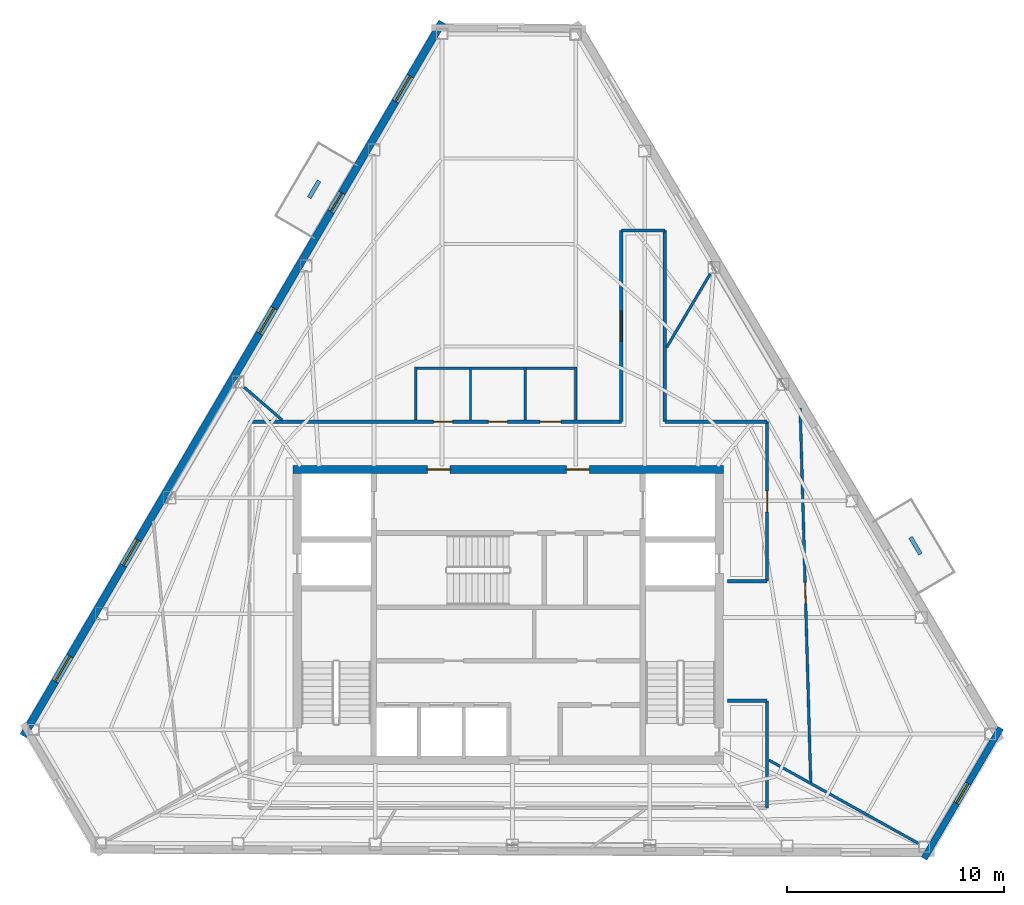
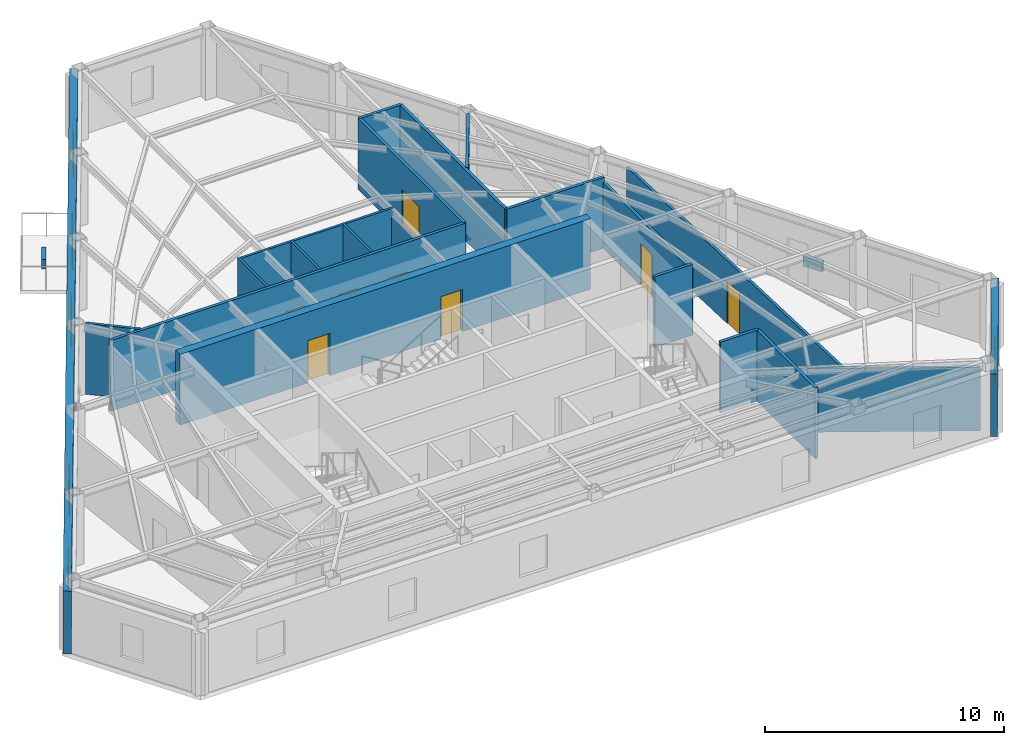
# One storey, part 6 of 9: 23 walls, 9 doors, 5 windows, 14 openings.
"""IFC4 building model written with IfcOpenShell, lengths in metres."""

from ifc_helpers import new_model, si_unit, direction, frame, frame_2d, origin, place, context, subcontext, project, spatial, rectangle, extrude, material, layer, layer_set, type_object, element, fill, save


model = new_model("IFC4")

# Units and contexts
model_context = context("Model", 3, precision=1e-05, world=origin(), true_north=direction((0.0, 1.0)))
body_context = subcontext(model_context, "Body", "Model", "MODEL_VIEW")
ifc_project = project(units=[si_unit("LENGTHUNIT", "METRE"), si_unit("AREAUNIT", "SQUARE_METRE"), si_unit("VOLUMEUNIT", "CUBIC_METRE"), si_unit("PLANEANGLEUNIT", "RADIAN"), si_unit("MASSUNIT", "GRAM", prefix="KILO")], contexts=[model_context])

# Site, building, storey
site_placement = place(None, origin())
site = spatial("IfcSite", under=ifc_project, at=site_placement, CompositionType="ELEMENT")
building_placement = place(site_placement, origin())
building = spatial("IfcBuilding", under=site, at=building_placement, Name="Kavelnor Concourse Tower", CompositionType="ELEMENT")
storey_placement = place(building_placement, frame((0.0, 0.0, 270.300048828125)))
storey = spatial("IfcBuildingStorey", under=building, at=storey_placement, Name="L68", CompositionType="ELEMENT", Elevation=270.300048828125)

# Wall, openings, doors
ifc_material_1 = material(Name="Concrete C50/60", Category="concrete")
ifc_layer_1 = layer(ifc_material_1, 0.3798828125, Name="Concrete C50/60")
ifc_layer_set_1 = layer_set([ifc_layer_1], Name="Concrete C50/60")
wall_type_1 = type_object("IfcWallType", Name="WL-CORE-Z4-380", PredefinedType="SOLIDWALL", material=ifc_layer_set_1)
wall_1_placement = place(storey_placement, frame((28.10009765625, 22.7900390625, 0.0), z_axis=(0.0, 0.0, 1.0), x_axis=(1.0, 0.0, 0.0)))
wall_1 = element("IfcWall", 1, at=wall_1_placement, inside=storey, type_object=wall_type_1, Name="L68 Central Core North Shear Wall", PredefinedType="SOLIDWALL", context=body_context, shape_type="SweptSolid", body=[
    extrude(rectangle(XDim=19.7998046875, YDim=0.3798828125, at=frame_2d((9.89990234375, 0.0))), origin(), (0.0, 0.0, 1.0), 3.60986328125),
])
opening_1_placement = place(wall_1_placement, frame((6.175048828125, 0.0, 0.0)))
opening_1 = element("IfcOpeningElement", 2, at=opening_1_placement, cuts=wall_1, Name="Opening FD-105", PredefinedType="OPENING", context=body_context, shape_type="SweptSolid", body=[
    extrude(rectangle(XDim=1.050048828125, YDim=2.14990234375, at=frame_2d((0.52490234375, 1.074951171875))), frame((0.0, 0.199951171875, 0.0), z_axis=(0.0, -1.0, 0.0), x_axis=(1.0, 0.0, 0.0)), (0.0, 0.0, 1.0), 0.39990234375),
])
opening_2_placement = place(wall_1_placement, frame((12.574951171875, 0.0, 0.0)))
opening_2 = element("IfcOpeningElement", 3, at=opening_2_placement, cuts=wall_1, Name="Opening FD-105", PredefinedType="OPENING", context=body_context, shape_type="SweptSolid", body=[
    extrude(rectangle(XDim=1.050048828125, YDim=2.14990234375, at=frame_2d((0.52490234375, 1.074951171875))), frame((0.0, 0.199951171875, 0.0), z_axis=(0.0, -1.0, 0.0), x_axis=(1.0, 0.0, 0.0)), (0.0, 0.0, 1.0), 0.39990234375),
])
ifc_material_2 = material(Name="Steel Grade 350", Category="steel")
door_type_1 = type_object("IfcDoorType", Name="DR-LOBBY-FIRE-1050", OperationType="NOTDEFINED", PredefinedType="DOOR", material=ifc_material_2)
door_1_placement = place(opening_1_placement, origin())
door_1 = element("IfcDoor", 4, at=door_1_placement, inside=storey, type_object=door_type_1, Name="L68 Emergency Lift Lobby West Door", OperationType="SINGLE_SWING_LEFT", OverallHeight=2.14990234375, OverallWidth=1.050048828125, PredefinedType="DOOR", context=body_context, shape_type="SweptSolid", body=[
    extrude(rectangle(XDim=1.050048828125, YDim=2.14990234375, at=frame_2d((0.52490234375, 1.074951171875))), frame((0.0, 0.02490234375, 0.0), z_axis=(0.0, -1.0, 0.0), x_axis=(1.0, 0.0, 0.0)), (0.0, 0.0, 1.0), 0.050048828125),
])
fill(opening_1, door_1)
door_2_placement = place(opening_2_placement, origin())
door_2 = element("IfcDoor", 5, at=door_2_placement, inside=storey, type_object=door_type_1, Name="L68 Emergency Lift Lobby East Door", OperationType="SINGLE_SWING_RIGHT", OverallHeight=2.14990234375, OverallWidth=1.050048828125, PredefinedType="DOOR", context=body_context, shape_type="SweptSolid", body=[
    extrude(rectangle(XDim=1.050048828125, YDim=2.14990234375, at=frame_2d((0.52490234375, 1.074951171875))), frame((0.0, 0.02490234375, 0.0), z_axis=(0.0, -1.0, 0.0), x_axis=(1.0, 0.0, 0.0)), (0.0, 0.0, 1.0), 0.050048828125),
])
fill(opening_2, door_2)

# Wall, opening, window
ifc_material_3 = material(Name="Buff ironspot clay face brick masonry", Category="masonry")
ifc_layer_2 = layer(ifc_material_3, 0.300048828125, Name="Buff ironspot clay face brick masonry")
ifc_layer_set_2 = layer_set([ifc_layer_2], Name="Buff ironspot clay face brick masonry")
wall_type_2 = type_object("IfcWallType", Name="WL-EXT-BUFF-BRICK-FOLD-300", PredefinedType="STANDARD", material=ifc_layer_set_2)
wall_2_placement = place(storey_placement, frame((60.654296875, 10.89697265625, 0.0), z_axis=(0.0, 0.0, 1.0), x_axis=(-0.506109881411, -0.862469006943, 0.0)))
wall_2 = element("IfcWall", 6, at=wall_2_placement, inside=storey, type_object=wall_type_2, Name="L68 Exterior Brick Facade Wall E4", PredefinedType="STANDARD", context=body_context, shape_type="SweptSolid", body=[
    extrude(rectangle(XDim=6.964599609375, YDim=0.300048828125, at=frame_2d((3.482421875, 0.0))), origin(), (0.0, 0.0, 1.0), 3.196044921875),
])
opening_3_placement = place(wall_2_placement, frame((2.957275390625, 0.0, 0.64990234375)))
opening_3 = element("IfcOpeningElement", 7, at=opening_3_placement, cuts=wall_2, Name="Opening W-06", PredefinedType="OPENING", context=body_context, shape_type="SweptSolid", body=[
    extrude(rectangle(XDim=1.050048828125, YDim=1.699951171875, at=frame_2d((0.52490234375, 0.85009765625))), frame((0.0, 0.16015625, 0.0), z_axis=(0.0, -1.0, 0.0), x_axis=(1.0, 0.0, 0.0)), (0.0, 0.0, 1.0), 0.320068359375),
])
ifc_material_4 = material(Name="Double low-E argon insulated glazing", Category="glass")
window_type_1 = type_object("IfcWindowType", Name="WIN-FOLD-1050", PartitioningType="SINGLE_PANEL", PredefinedType="WINDOW", material=ifc_material_4)
window_1_placement = place(opening_3_placement, origin())
window_1 = element("IfcWindow", 8, at=window_1_placement, inside=storey, type_object=window_type_1, Name="L68 Chamfer-Fold Facet Window C2", OverallHeight=1.699951171875, OverallWidth=1.050048828125, PartitioningType="SINGLE_PANEL", PredefinedType="WINDOW", context=body_context, shape_type="SweptSolid", body=[
    extrude(rectangle(XDim=1.050048828125, YDim=1.699951171875, at=frame_2d((0.52490234375, 0.85009765625))), frame((0.0, 0.030029296875, 0.0), z_axis=(0.0, -1.0, 0.0), x_axis=(1.0, 0.0, 0.0)), (0.0, 0.0, 1.0), 0.06005859375),
])
fill(opening_3, window_1)

# Wall, openings, door, windows
ifc_material_5 = material(Name="Red-ochre clay face brick masonry", Category="masonry")
ifc_layer_3 = layer(ifc_material_5, 0.35009765625, Name="Red-ochre clay face brick masonry")
ifc_layer_set_3 = layer_set([ifc_layer_3], Name="Red-ochre clay face brick masonry")
wall_type_3 = type_object("IfcWallType", Name="WL-EXT-RED-BRICK-PIER-350", PredefinedType="STANDARD", material=ifc_layer_set_3)
wall_3_placement = place(storey_placement, frame((15.685791015625, 10.53564453125, 0.0), z_axis=(0.0, 0.0, 1.0), x_axis=(0.506100645038, 0.862474426921, 0.0)))
wall_3 = element("IfcWall", 9, at=wall_3_placement, inside=storey, type_object=wall_type_3, Name="L68 Exterior Brick Facade Wall E1", PredefinedType="STANDARD", context=body_context, shape_type="SweptSolid", body=[
    extrude(rectangle(XDim=38.083740234375, YDim=0.35009765625, at=frame_2d((19.0419921875, 0.0))), origin(), (0.0, 0.0, 1.0), 3.196044921875),
])
opening_4_placement = place(wall_3_placement, frame((27.962890625, 0.0, 0.0)))
opening_4 = element("IfcOpeningElement", 10, at=opening_4_placement, cuts=wall_3, Name="Opening BD-100", PredefinedType="OPENING", context=body_context, shape_type="SweptSolid", body=[
    extrude(rectangle(XDim=1.0, YDim=2.199951171875, at=frame_2d((0.5, 1.10009765625))), frame((0.0, 0.18505859375, 0.0), z_axis=(0.0, -1.0, 0.0), x_axis=(1.0, 0.0, 0.0)), (0.0, 0.0, 1.0), 0.3701171875),
])
opening_5_placement = place(wall_3_placement, frame((33.838623046875, 0.0, 0.64990234375)))
opening_5 = element("IfcOpeningElement", 11, at=opening_5_placement, cuts=wall_3, Name="Opening W-04", PredefinedType="OPENING", context=body_context, shape_type="SweptSolid", body=[
    extrude(rectangle(XDim=1.35009765625, YDim=1.75, at=frame_2d((0.675048828125, 0.875))), frame((0.0, 0.18505859375, 0.0), z_axis=(0.0, -1.0, 0.0), x_axis=(1.0, 0.0, 0.0)), (0.0, 0.0, 1.0), 0.3701171875),
])
opening_6_placement = place(wall_3_placement, frame((21.4638671875, 0.0, 0.64990234375)))
opening_6 = element("IfcOpeningElement", 12, at=opening_6_placement, cuts=wall_3, Name="Opening W-04", PredefinedType="OPENING", context=body_context, shape_type="SweptSolid", body=[
    extrude(rectangle(XDim=1.35009765625, YDim=1.75, at=frame_2d((0.675048828125, 0.875))), frame((0.0, 0.18505859375, 0.0), z_axis=(0.0, -1.0, 0.0), x_axis=(1.0, 0.0, 0.0)), (0.0, 0.0, 1.0), 0.3701171875),
])
opening_7_placement = place(wall_3_placement, frame((9.089111328125, 0.0, 0.64990234375)))
opening_7 = element("IfcOpeningElement", 13, at=opening_7_placement, cuts=wall_3, Name="Opening W-04", PredefinedType="OPENING", context=body_context, shape_type="SweptSolid", body=[
    extrude(rectangle(XDim=1.35009765625, YDim=1.75, at=frame_2d((0.675048828125, 0.875))), frame((0.0, 0.18505859375, 0.0), z_axis=(0.0, -1.0, 0.0), x_axis=(1.0, 0.0, 0.0)), (0.0, 0.0, 1.0), 0.3701171875),
])
opening_8_placement = place(wall_3_placement, frame((2.90185546875, 0.0, 0.64990234375)))
opening_8 = element("IfcOpeningElement", 14, at=opening_8_placement, cuts=wall_3, Name="Opening W-04", PredefinedType="OPENING", context=body_context, shape_type="SweptSolid", body=[
    extrude(rectangle(XDim=1.35009765625, YDim=1.75, at=frame_2d((0.675048828125, 0.875))), frame((0.0, 0.18505859375, 0.0), z_axis=(0.0, -1.0, 0.0), x_axis=(1.0, 0.0, 0.0)), (0.0, 0.0, 1.0), 0.3701171875),
])
ifc_material_6 = material(Name="Anodised aluminium 6063-T6", Category="aluminium")
door_type_2 = type_object("IfcDoorType", Name="DR-BALCONY-EXT-1000", OperationType="NOTDEFINED", PredefinedType="DOOR", material=ifc_material_6)
door_3_placement = place(opening_4_placement, origin())
door_3 = element("IfcDoor", 15, at=door_3_placement, inside=storey, type_object=door_type_2, Name="L68 Tree Balcony 2 Glazed Door", OperationType="SINGLE_SWING_RIGHT", OverallHeight=2.199951171875, OverallWidth=1.0, PredefinedType="DOOR", context=body_context, shape_type="SweptSolid", body=[
    extrude(rectangle(XDim=1.0, YDim=2.199951171875, at=frame_2d((0.5, 1.10009765625))), frame((0.0, 0.02490234375, 0.0), z_axis=(0.0, -1.0, 0.0), x_axis=(1.0, 0.0, 0.0)), (0.0, 0.0, 1.0), 0.050048828125),
])
fill(opening_4, door_3)
window_type_2 = type_object("IfcWindowType", Name="WIN-PIER-Z4-1350", PartitioningType="SINGLE_PANEL", PredefinedType="WINDOW", material=ifc_material_4)
window_2_placement = place(opening_5_placement, origin())
window_2 = element("IfcWindow", 16, at=window_2_placement, inside=storey, type_object=window_type_2, Name="L68 Deep-Set Brick Pier Window F0-B0", OverallHeight=1.75, OverallWidth=1.35009765625, PartitioningType="SINGLE_PANEL", PredefinedType="WINDOW", context=body_context, shape_type="SweptSolid", body=[
    extrude(rectangle(XDim=1.35009765625, YDim=1.75, at=frame_2d((0.675048828125, 0.875))), frame((0.0, 0.030029296875, 0.0), z_axis=(0.0, -1.0, 0.0), x_axis=(1.0, 0.0, 0.0)), (0.0, 0.0, 1.0), 0.06005859375),
])
fill(opening_5, window_2)
window_3_placement = place(opening_6_placement, origin())
window_3 = element("IfcWindow", 17, at=window_3_placement, inside=storey, type_object=window_type_2, Name="L68 Deep-Set Brick Pier Window F0-B2", OverallHeight=1.75, OverallWidth=1.35009765625, PartitioningType="SINGLE_PANEL", PredefinedType="WINDOW", context=body_context, shape_type="SweptSolid", body=[
    extrude(rectangle(XDim=1.35009765625, YDim=1.75, at=frame_2d((0.675048828125, 0.875))), frame((0.0, 0.030029296875, 0.0), z_axis=(0.0, -1.0, 0.0), x_axis=(1.0, 0.0, 0.0)), (0.0, 0.0, 1.0), 0.06005859375),
])
fill(opening_6, window_3)
window_4_placement = place(opening_7_placement, origin())
window_4 = element("IfcWindow", 18, at=window_4_placement, inside=storey, type_object=window_type_2, Name="L68 Deep-Set Brick Pier Window F0-B4", OverallHeight=1.75, OverallWidth=1.35009765625, PartitioningType="SINGLE_PANEL", PredefinedType="WINDOW", context=body_context, shape_type="SweptSolid", body=[
    extrude(rectangle(XDim=1.35009765625, YDim=1.75, at=frame_2d((0.675048828125, 0.875))), frame((0.0, 0.030029296875, 0.0), z_axis=(0.0, -1.0, 0.0), x_axis=(1.0, 0.0, 0.0)), (0.0, 0.0, 1.0), 0.06005859375),
])
fill(opening_7, window_4)
window_5_placement = place(opening_8_placement, origin())
window_5 = element("IfcWindow", 19, at=window_5_placement, inside=storey, type_object=window_type_2, Name="L68 Deep-Set Brick Pier Window F0-B5", OverallHeight=1.75, OverallWidth=1.35009765625, PartitioningType="SINGLE_PANEL", PredefinedType="WINDOW", context=body_context, shape_type="SweptSolid", body=[
    extrude(rectangle(XDim=1.35009765625, YDim=1.75, at=frame_2d((0.675048828125, 0.875))), frame((0.0, 0.030029296875, 0.0), z_axis=(0.0, -1.0, 0.0), x_axis=(1.0, 0.0, 0.0)), (0.0, 0.0, 1.0), 0.06005859375),
])
fill(opening_8, window_5)

# Wall, opening, door
ifc_material_7 = material(Name="Gypsum plasterboard on light-gauge steel studs", Category="steel")
ifc_layer_4 = layer(ifc_material_7, 0.14501953125, Name="Gypsum plasterboard on light-gauge steel studs")
ifc_layer_set_4 = layer_set([ifc_layer_4], Name="Gypsum plasterboard on light-gauge steel studs")
wall_type_4 = type_object("IfcWallType", Name="WL-INT-CORR-145", PredefinedType="PARTITIONING", material=ifc_layer_set_4)
wall_4_placement = place(storey_placement, frame((43.199951171875, 24.989990234375, 0.0), z_axis=(0.0, 0.0, 1.0), x_axis=(0.0, 1.0, 0.0)))
wall_4 = element("IfcWall", 20, at=wall_4_placement, inside=storey, type_object=wall_type_4, Name="L68 Corridor Wall WL-L68-CR-01", PredefinedType="PARTITIONING", context=body_context, shape_type="SweptSolid", body=[
    extrude(rectangle(XDim=8.7998046875, YDim=0.14501953125, at=frame_2d((4.39990234375, 0.0))), origin(), (0.0, 0.0, 1.0), 3.60986328125),
])
opening_9_placement = place(wall_4_placement, frame((3.699951171875, 0.0, 0.0)))
opening_9 = element("IfcOpeningElement", 21, at=opening_9_placement, cuts=wall_4, Name="Opening SD-140", PredefinedType="OPENING", context=body_context, shape_type="SweptSolid", body=[
    extrude(rectangle(XDim=1.39990234375, YDim=2.199951171875, at=frame_2d((0.699951171875, 1.10009765625))), frame((0.0, 0.08251953125, 0.0), z_axis=(0.0, -1.0, 0.0), x_axis=(1.0, 0.0, 0.0)), (0.0, 0.0, 1.0), 0.1650390625),
])
ifc_material_8 = material(Name="Solid-core hardwood timber", Category="wood")
door_type_3 = type_object("IfcDoorType", Name="DR-SUITE-ENTRY-1400", OperationType="NOTDEFINED", PredefinedType="DOOR", material=ifc_material_8)
door_4_placement = place(opening_9_placement, origin())
door_4 = element("IfcDoor", 22, at=door_4_placement, inside=storey, type_object=door_type_3, Name="L68 Technical Reference Library 03 Door", OperationType="SINGLE_SWING_RIGHT", OverallHeight=2.199951171875, OverallWidth=1.39990234375, PredefinedType="DOOR", context=body_context, shape_type="SweptSolid", body=[
    extrude(rectangle(XDim=1.39990234375, YDim=2.199951171875, at=frame_2d((0.699951171875, 1.10009765625))), frame((0.0, 0.02490234375, 0.0), z_axis=(0.0, -1.0, 0.0), x_axis=(1.0, 0.0, 0.0)), (0.0, 0.0, 1.0), 0.050048828125),
])
fill(opening_9, door_4)

# Walls
wall_5_placement = place(storey_placement, frame((43.199951171875, 33.789794921875, 0.0), z_axis=(0.0, 0.0, 1.0), x_axis=(1.0, 0.0, 0.0)))
element("IfcWall", 23, at=wall_5_placement, inside=storey, type_object=wall_type_4, Name="L68 Corridor Wall WL-L68-CR-02", PredefinedType="PARTITIONING", context=body_context, shape_type="SweptSolid", body=[
    extrude(rectangle(XDim=2.0, YDim=0.14501953125, at=frame_2d((1.0, 0.0))), origin(), (0.0, 0.0, 1.0), 3.60986328125),
])
wall_6_placement = place(storey_placement, frame((45.199951171875, 33.789794921875, 0.0), z_axis=(0.0, 0.0, 1.0), x_axis=(0.0, -1.0, 0.0)))
element("IfcWall", 24, at=wall_6_placement, inside=storey, type_object=wall_type_4, Name="L68 Corridor Wall WL-L68-CR-03", PredefinedType="PARTITIONING", context=body_context, shape_type="SweptSolid", body=[
    extrude(rectangle(XDim=8.7998046875, YDim=0.14501953125, at=frame_2d((4.39990234375, 0.0))), origin(), (0.0, 0.0, 1.0), 3.60986328125),
])
wall_7_placement = place(storey_placement, frame((45.199951171875, 24.989990234375, 0.0), z_axis=(0.0, 0.0, 1.0), x_axis=(1.0, 0.0, 0.0)))
element("IfcWall", 25, at=wall_7_placement, inside=storey, type_object=wall_type_4, Name="L68 Corridor Wall WL-L68-CR-04", PredefinedType="PARTITIONING", context=body_context, shape_type="SweptSolid", body=[
    extrude(rectangle(XDim=4.7099609375, YDim=0.14501953125, at=frame_2d((2.35498046875, 0.0))), origin(), (0.0, 0.0, 1.0), 3.60986328125),
])

# Wall, opening, door
wall_8_placement = place(storey_placement, frame((49.909912109375, 24.989990234375, 0.0), z_axis=(0.0, 0.0, 1.0), x_axis=(0.0, -1.0, 0.0)))
wall_8 = element("IfcWall", 26, at=wall_8_placement, inside=storey, type_object=wall_type_4, Name="L68 Corridor Wall WL-L68-CR-05", PredefinedType="PARTITIONING", context=body_context, shape_type="SweptSolid", body=[
    extrude(rectangle(XDim=7.340087890625, YDim=0.14501953125, at=frame_2d((3.669921875, 0.0))), origin(), (0.0, 0.0, 1.0), 3.348876953125),
])
opening_10_placement = place(wall_8_placement, frame((3.179931640625, 0.0, 0.0)))
opening_10 = element("IfcOpeningElement", 27, at=opening_10_placement, cuts=wall_8, Name="Opening OD-098", PredefinedType="OPENING", context=body_context, shape_type="SweptSolid", body=[
    extrude(rectangle(XDim=0.97998046875, YDim=2.14990234375, at=frame_2d((0.489990234375, 1.074951171875))), frame((0.0, 0.08251953125, 0.0), z_axis=(0.0, -1.0, 0.0), x_axis=(1.0, 0.0, 0.0)), (0.0, 0.0, 1.0), 0.1650390625),
])
door_type_4 = type_object("IfcDoorType", Name="DR-OFFICE-980", OperationType="NOTDEFINED", PredefinedType="DOOR", material=ifc_material_8)
door_5_placement = place(opening_10_placement, origin())
door_5 = element("IfcDoor", 28, at=door_5_placement, inside=storey, type_object=door_type_4, Name="L68 Building Staff Breakroom 01 Door", OperationType="SINGLE_SWING_RIGHT", OverallHeight=2.14990234375, OverallWidth=0.97998046875, PredefinedType="DOOR", context=body_context, shape_type="SweptSolid", body=[
    extrude(rectangle(XDim=0.97998046875, YDim=2.14990234375, at=frame_2d((0.489990234375, 1.074951171875))), frame((0.0, 0.02490234375, 0.0), z_axis=(0.0, -1.0, 0.0), x_axis=(1.0, 0.0, 0.0)), (0.0, 0.0, 1.0), 0.050048828125),
])
fill(opening_10, door_5)

# Walls
for number, where, z_axis, x_axis, name in (
    (29, (49.909912109375, 17.64990234375, 0.0), (0.0, 0.0, 1.0), (-1.0, 0.0, 0.0), "L68 Corridor Wall WL-L68-CR-06"),
    (30, (48.090087890625, 12.14990234375, 0.0), (0.0, 0.0, 1.0), (1.0, 0.0, 0.0), "L68 Corridor Wall WL-L68-CR-07"),
):
    element("IfcWall", number, at=place(storey_placement, frame(where, z_axis=z_axis, x_axis=x_axis)), inside=storey, type_object=wall_type_4, Name=name, PredefinedType="PARTITIONING", context=body_context, shape_type="SweptSolid", body=[
        extrude(rectangle(XDim=1.81982421875, YDim=0.14501953125, at=frame_2d((0.909912109375, 0.0))), origin(), (0.0, 0.0, 1.0), 3.60986328125),
    ])
wall_9_placement = place(storey_placement, frame((49.909912109375, 12.14990234375, 0.0), z_axis=(0.0, 0.0, 1.0), x_axis=(0.0, -1.0, 0.0)))
element("IfcWall", 31, at=wall_9_placement, inside=storey, type_object=wall_type_4, Name="L68 Corridor Wall WL-L68-CR-08", PredefinedType="PARTITIONING", context=body_context, shape_type="SweptSolid", body=[
    extrude(rectangle(XDim=4.93994140625, YDim=0.14501953125, at=frame_2d((2.469970703125, 0.0))), origin(), (0.0, 0.0, 1.0), 3.60986328125),
])

# Wall, openings, doors
wall_10_placement = place(storey_placement, frame((26.090087890625, 24.989990234375, 0.0), z_axis=(0.0, 0.0, 1.0), x_axis=(1.0, 0.0, 0.0)))
wall_10 = element("IfcWall", 32, at=wall_10_placement, inside=storey, type_object=wall_type_4, Name="L68 Corridor Wall WL-L68-CR-11", PredefinedType="PARTITIONING", context=body_context, shape_type="SweptSolid", body=[
    extrude(rectangle(XDim=17.10986328125, YDim=0.14501953125, at=frame_2d((8.554931640625, 0.0))), origin(), (0.0, 0.0, 1.0), 3.60986328125),
])
opening_11_placement = place(wall_10_placement, frame((8.469970703125, 0.0, 0.0)))
opening_11 = element("IfcOpeningElement", 33, at=opening_11_placement, cuts=wall_10, Name="Opening WD-088", PredefinedType="OPENING", context=body_context, shape_type="SweptSolid", body=[
    extrude(rectangle(XDim=0.8798828125, YDim=2.10009765625, at=frame_2d((0.43994140625, 1.050048828125))), frame((0.0, 0.08251953125, 0.0), z_axis=(0.0, -1.0, 0.0), x_axis=(1.0, 0.0, 0.0)), (0.0, 0.0, 1.0), 0.1650390625),
])
opening_12_placement = place(wall_10_placement, frame((10.989990234375, 0.0, 0.0)))
opening_12 = element("IfcOpeningElement", 34, at=opening_12_placement, cuts=wall_10, Name="Opening WD-088", PredefinedType="OPENING", context=body_context, shape_type="SweptSolid", body=[
    extrude(rectangle(XDim=0.8798828125, YDim=2.10009765625, at=frame_2d((0.43994140625, 1.050048828125))), frame((0.0, 0.08251953125, 0.0), z_axis=(0.0, -1.0, 0.0), x_axis=(1.0, 0.0, 0.0)), (0.0, 0.0, 1.0), 0.1650390625),
])
opening_13_placement = place(wall_10_placement, frame((13.3701171875, 0.0, 0.0)))
opening_13 = element("IfcOpeningElement", 35, at=opening_13_placement, cuts=wall_10, Name="Opening WD-096", PredefinedType="OPENING", context=body_context, shape_type="SweptSolid", body=[
    extrude(rectangle(XDim=0.9599609375, YDim=2.10009765625, at=frame_2d((0.47998046875, 1.050048828125))), frame((0.0, 0.08251953125, 0.0), z_axis=(0.0, -1.0, 0.0), x_axis=(1.0, 0.0, 0.0)), (0.0, 0.0, 1.0), 0.1650390625),
])
door_type_5 = type_object("IfcDoorType", Name="DR-WC-ACC-960", OperationType="NOTDEFINED", PredefinedType="DOOR", material=ifc_material_8)
door_6_placement = place(opening_13_placement, origin())
door_6 = element("IfcDoor", 36, at=door_6_placement, inside=storey, type_object=door_type_5, Name="L68 Accessible WC Door", OperationType="SINGLE_SWING_RIGHT", OverallHeight=2.10009765625, OverallWidth=0.9599609375, PredefinedType="DOOR", context=body_context, shape_type="SweptSolid", body=[
    extrude(rectangle(XDim=0.9599609375, YDim=2.10009765625, at=frame_2d((0.47998046875, 1.050048828125))), frame((0.0, 0.02490234375, 0.0), z_axis=(0.0, -1.0, 0.0), x_axis=(1.0, 0.0, 0.0)), (0.0, 0.0, 1.0), 0.050048828125),
])
fill(opening_13, door_6)
door_type_6 = type_object("IfcDoorType", Name="DR-WC-STD-880", OperationType="NOTDEFINED", PredefinedType="DOOR", material=ifc_material_8)
door_7_placement = place(opening_11_placement, origin())
door_7 = element("IfcDoor", 37, at=door_7_placement, inside=storey, type_object=door_type_6, Name="L68 Male WC Door", OperationType="SINGLE_SWING_RIGHT", OverallHeight=2.10009765625, OverallWidth=0.8798828125, PredefinedType="DOOR", context=body_context, shape_type="SweptSolid", body=[
    extrude(rectangle(XDim=0.8798828125, YDim=2.10009765625, at=frame_2d((0.43994140625, 1.050048828125))), frame((0.0, 0.02490234375, 0.0), z_axis=(0.0, -1.0, 0.0), x_axis=(1.0, 0.0, 0.0)), (0.0, 0.0, 1.0), 0.050048828125),
])
fill(opening_11, door_7)
door_8_placement = place(opening_12_placement, origin())
door_8 = element("IfcDoor", 38, at=door_8_placement, inside=storey, type_object=door_type_6, Name="L68 Female WC Door", OperationType="SINGLE_SWING_LEFT", OverallHeight=2.10009765625, OverallWidth=0.8798828125, PredefinedType="DOOR", context=body_context, shape_type="SweptSolid", body=[
    extrude(rectangle(XDim=0.8798828125, YDim=2.10009765625, at=frame_2d((0.43994140625, 1.050048828125))), frame((0.0, 0.02490234375, 0.0), z_axis=(0.0, -1.0, 0.0), x_axis=(1.0, 0.0, 0.0)), (0.0, 0.0, 1.0), 0.050048828125),
])
fill(opening_12, door_8)

# Walls
ifc_layer_5 = layer(ifc_material_7, 0.125, Name="Gypsum plasterboard on light-gauge steel studs")
ifc_layer_set_5 = layer_set([ifc_layer_5], Name="Gypsum plasterboard on light-gauge steel studs")
wall_type_5 = type_object("IfcWallType", Name="WL-INT-SUITE-125", PredefinedType="PARTITIONING", material=ifc_layer_set_5)
wall_11_placement = place(storey_placement, frame((45.280517578125, 28.39892578125, 0.0), z_axis=(0.0, 0.0, 1.0), x_axis=(0.509420165647, 0.860517922435, 0.0)))
element("IfcWall", 39, at=wall_11_placement, inside=storey, type_object=wall_type_5, Name="L68 Radial Suite Partition 01", PredefinedType="PARTITIONING", context=body_context, shape_type="SweptSolid", body=[
    extrude(rectangle(XDim=3.93994140625, YDim=0.125, at=frame_2d((1.969970703125, 0.0))), origin(), (0.0, 0.0, 1.0), 3.60986328125),
])
wall_12_placement = place(storey_placement, frame((27.593017578125, 25.070556640625, 0.0), z_axis=(0.0, 0.0, 1.0), x_axis=(-0.757498383129, 0.652837039051, 0.0)))
element("IfcWall", 40, at=wall_12_placement, inside=storey, type_object=wall_type_5, Name="L68 Radial Suite Partition 02", PredefinedType="PARTITIONING", context=body_context, shape_type="SweptSolid", body=[
    extrude(rectangle(XDim=2.30712890625, YDim=0.125, at=frame_2d((1.153564453125, 0.0))), origin(), (0.0, 0.0, 1.0), 3.60986328125),
])
wall_13_placement = place(storey_placement, frame((49.990478515625, 9.41943359375, 0.0), z_axis=(0.0, 0.0, 1.0), x_axis=(0.873576073391, -0.486687624662, 0.0)))
element("IfcWall", 41, at=wall_13_placement, inside=storey, type_object=wall_type_5, Name="L68 Radial Suite Partition 05", PredefinedType="PARTITIONING", context=body_context, shape_type="SweptSolid", body=[
    extrude(rectangle(XDim=7.874755859375, YDim=0.125, at=frame_2d((3.9375, 0.0))), origin(), (0.0, 0.0, 1.0), 3.245849609375),
])

# Wall, opening, door
wall_14_placement = place(storey_placement, frame((51.914794921875, 8.364501953125, 0.0), z_axis=(0.0, 0.0, 1.0), x_axis=(-0.028169991023, 0.999603147057, 0.0)))
wall_14 = element("IfcWall", 42, at=wall_14_placement, inside=storey, type_object=wall_type_5, Name="L68 Suite Subdivision Partition 01", PredefinedType="PARTITIONING", context=body_context, shape_type="SweptSolid", body=[
    extrude(rectangle(XDim=17.25537109375, YDim=0.125, at=frame_2d((8.627685546875, 0.0))), origin(), (0.0, 0.0, 1.0), 3.198974609375),
])
opening_14_placement = place(wall_14_placement, frame((8.258544921875, 0.0, 0.0)))
opening_14 = element("IfcOpeningElement", 43, at=opening_14_placement, cuts=wall_14, Name="Opening OD-098", PredefinedType="OPENING", context=body_context, shape_type="SweptSolid", body=[
    extrude(rectangle(XDim=0.97998046875, YDim=2.14990234375, at=frame_2d((0.489990234375, 1.074951171875))), frame((0.0, 0.072509765625, 0.0), z_axis=(0.0, -1.0, 0.0), x_axis=(1.0, 0.0, 0.0)), (0.0, 0.0, 1.0), 0.14501953125),
])
door_9_placement = place(opening_14_placement, origin())
door_9 = element("IfcDoor", 44, at=door_9_placement, inside=storey, type_object=door_type_4, Name="L68 Workplace Open Office 02 Door", OperationType="SINGLE_SWING_LEFT", OverallHeight=2.14990234375, OverallWidth=0.97998046875, PredefinedType="DOOR", context=body_context, shape_type="SweptSolid", body=[
    extrude(rectangle(XDim=0.97998046875, YDim=2.14990234375, at=frame_2d((0.489990234375, 1.074951171875))), frame((0.0, 0.02490234375, 0.0), z_axis=(0.0, -1.0, 0.0), x_axis=(1.0, 0.0, 0.0)), (0.0, 0.0, 1.0), 0.050048828125),
])
fill(opening_14, door_9)

# Walls
ifc_layer_6 = layer(ifc_material_7, 0.110107421875, Name="Gypsum plasterboard on light-gauge steel studs")
ifc_layer_set_6 = layer_set([ifc_layer_6], Name="Gypsum plasterboard on light-gauge steel studs")
wall_type_6 = type_object("IfcWallType", Name="WL-INT-WC-110", PredefinedType="PLUMBINGWALL", material=ifc_layer_set_6)
for number, where, z_axis, x_axis, name in (
    (45, (33.739990234375, 25.06005859375, 0.0), (0.0, 0.0, 1.0), (0.0, 1.0, 0.0), "L68 Sanitary Partition WL-L68-WC-W"),
    (46, (36.260009765625, 25.06005859375, 0.0), (0.0, 0.0, 1.0), (0.0, 1.0, 0.0), "L68 Sanitary Partition WL-L68-WC-D1"),
    (47, (38.780029296875, 25.06005859375, 0.0), (0.0, 0.0, 1.0), (0.0, 1.0, 0.0), "L68 Sanitary Partition WL-L68-WC-D2"),
):
    element("IfcWall", number, at=place(storey_placement, frame(where, z_axis=z_axis, x_axis=x_axis)), inside=storey, type_object=wall_type_6, Name=name, PredefinedType="PLUMBINGWALL", context=body_context, shape_type="SweptSolid", body=[
        extrude(rectangle(XDim=2.43994140625, YDim=0.110107421875, at=frame_2d((1.219970703125, 0.0))), origin(), (0.0, 0.0, 1.0), 3.60986328125),
    ])
wall_15_placement = place(storey_placement, frame((41.10009765625, 25.06005859375, 0.0), z_axis=(0.0, 0.0, 1.0), x_axis=(0.0, 1.0, 0.0)))
element("IfcWall", 48, at=wall_15_placement, inside=storey, type_object=wall_type_6, Name="L68 Sanitary Partition WL-L68-WC-E", PredefinedType="PLUMBINGWALL", context=body_context, shape_type="SweptSolid", body=[
    extrude(rectangle(XDim=2.43994140625, YDim=0.110107421875, at=frame_2d((1.219970703125, 0.0))), origin(), (0.0, 0.0, 1.0), 3.245849609375),
])
wall_16_placement = place(storey_placement, frame((33.68994140625, 27.43994140625, 0.0), z_axis=(0.0, 0.0, 1.0), x_axis=(1.0, 0.0, 0.0)))
element("IfcWall", 49, at=wall_16_placement, inside=storey, type_object=wall_type_6, Name="L68 Sanitary Partition WL-L68-WC-N", PredefinedType="PLUMBINGWALL", context=body_context, shape_type="SweptSolid", body=[
    extrude(rectangle(XDim=7.4599609375, YDim=0.110107421875, at=frame_2d((3.72998046875, 0.0))), origin(), (0.0, 0.0, 1.0), 3.60986328125),
])
ifc_material_9 = material(Name="Architectural precast planter concrete C40/50", Category="concrete")
ifc_layer_7 = layer(ifc_material_9, 0.18994140625, Name="Architectural precast planter concrete C40/50")
ifc_layer_set_7 = layer_set([ifc_layer_7], Name="Architectural precast planter concrete C40/50")
wall_type_7 = type_object("IfcWallType", Name="WL-PLANTER-KERB-190", PredefinedType="USERDEFINED", material=ifc_layer_set_7)
for number, where, z_axis, x_axis, name in (
    (50, (56.9619140625, 18.895263671875, 0.0), (0.0, 0.0, 1.0), (-0.509780079858, 0.860304754247, 0.0), "L68 Tree Balcony 1 Tree Planter Kerb"),
    (51, (29.296630859375, 36.07177734375, 0.0), (0.0, 0.0, 1.0), (-0.50621372759, -0.862408060027, 0.0), "L68 Tree Balcony 2 Tree Planter Kerb"),
):
    element("IfcWall", number, at=place(storey_placement, frame(where, z_axis=z_axis, x_axis=x_axis)), inside=storey, type_object=wall_type_7, Name=name, ObjectType="PLANTER", PredefinedType="USERDEFINED", context=body_context, shape_type="SweptSolid", body=[
        extrude(rectangle(XDim=0.89990234375, YDim=0.18994140625, at=frame_2d((0.449951171875, 0.0))), origin(), (0.0, 0.0, 1.0), 0.5),
    ])

save(model, "model.ifc")
